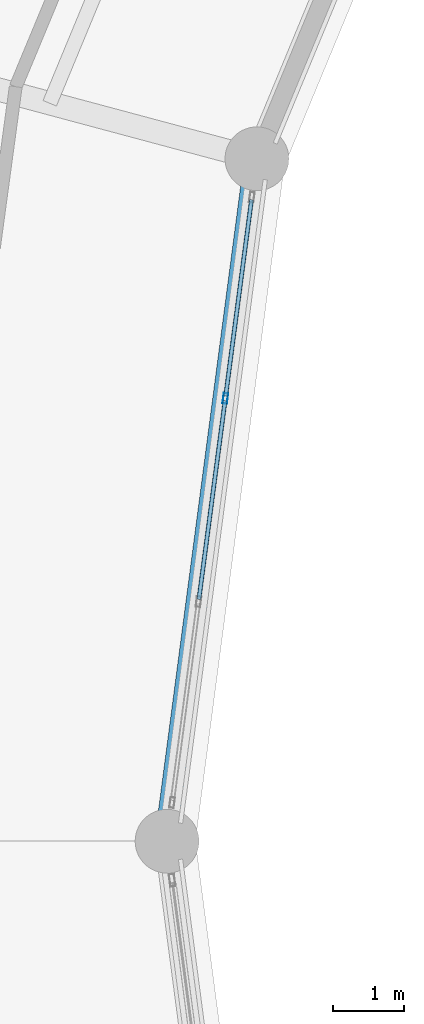
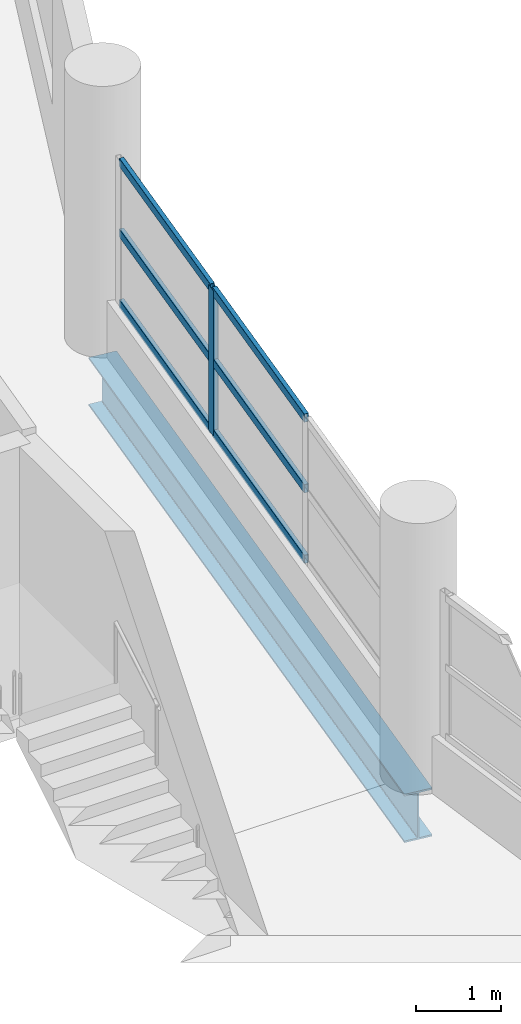
# One storey, part 18 of 53: 7 members, 1 beam, 1 element without a shape of its own.
"""IFC4 building model written with IfcOpenShell, lengths in metres."""

from ifc_helpers import new_model, si_unit, direction, frame, origin, origin_2d, place, context, subcontext, project, spatial, hollow_rectangle, i_section, extrude, material, layer, layer_set, material_profile, profile_set, type_object, element, aggregate, save


model = new_model("IFC4")

# Units and contexts
model_context = context("Model", 3, precision=1e-05, world=origin(), true_north=direction((0.0, 1.0)))
body_context = subcontext(model_context, "Body", "Model", "MODEL_VIEW")
ifc_project = project(units=[si_unit("LENGTHUNIT", "METRE"), si_unit("AREAUNIT", "SQUARE_METRE"), si_unit("VOLUMEUNIT", "CUBIC_METRE"), si_unit("PLANEANGLEUNIT", "RADIAN"), si_unit("MASSUNIT", "GRAM", prefix="KILO")], contexts=[model_context])

# Site, building, storey
site_placement = place(None, origin())
site = spatial("IfcSite", under=ifc_project, at=site_placement, CompositionType="ELEMENT")
building_placement = place(site_placement, origin())
building = spatial("IfcBuilding", under=site, at=building_placement, Name="Vespera Passage Community Centre", CompositionType="ELEMENT")
storey_placement = place(building_placement, frame((0.0, 0.0, 20.39990234375)))
storey = spatial("IfcBuildingStorey", under=building, at=storey_placement, Name="L05", CompositionType="ELEMENT", Elevation=20.39990234375)

# Beam
ifc_material_1 = material(Name="Steel ASTM A992 Grade 50", Category="steel")
ifc_material_profile_1 = material_profile(ifc_material_1, i_section(OverallWidth=0.3544921875, OverallDepth=0.695556640625, WebThickness=0.015380859375, FlangeThickness=0.024658203125, FilletRadius=0.01513671875, at=origin_2d()), Name="W27X146")
ifc_profile_set_1 = profile_set([ifc_material_profile_1], Name="Steel ASTM A992 Grade 50")
beam_type = type_object("IfcBeamType", Name="BM-SP-W27X146E", PredefinedType="SPANDREL", material=ifc_profile_set_1)
beam_placement = place(storey_placement, frame((42.067626953125, 75.128173828125, -0.607666015625), z_axis=(-0.130526697639, -0.991444794834, 0.0), x_axis=(0.991444794834, -0.130526697639, 0.0)))
element("IfcBeam", 1, at=beam_placement, inside=storey, type_object=beam_type, Name="V4 L05 Inner Spandrel 11", PredefinedType="SPANDREL", context=body_context, shape_type="SweptSolid", body=[
    extrude(i_section(OverallWidth=0.3544921875, OverallDepth=0.695556640625, WebThickness=0.015380859375, FlangeThickness=0.024658203125, FilletRadius=0.01513671875, at=origin_2d()), origin(), (0.0, 0.0, 1.0), 9.711181640625),
])

# Curtain wall, members
ifc_material_2 = material(Name="Anodized aluminium 6063-T6", Category="aluminium")
ifc_layer = layer(ifc_material_2, 0.159912109375)
ifc_layer_set = layer_set([ifc_layer], Name="Anodized aluminium 6063-T6")
curtain_wall_type = type_object("IfcCurtainWallType", Name="CW-58E", PredefinedType="NOTDEFINED", material=ifc_layer_set)
curtain_wall_placement = place(storey_placement, origin())
curtain_wall = element("IfcCurtainWall", 2, at=curtain_wall_placement, inside=storey, type_object=curtain_wall_type, Name="V4 L05 Inner Court Curtain Wall 11", PredefinedType="NOTDEFINED")
ifc_material_3 = material(Name="Anodized aluminium 6063-T6", Category="aluminium")
ifc_material_profile_2 = material_profile(ifc_material_3, hollow_rectangle(XDim=0.06494140625, YDim=0.14990234375, WallThickness=0.00390625, InnerFilletRadius=0.001953125, OuterFilletRadius=0.00390625, at=origin_2d()), Name="ALU150X65X4")
ifc_profile_set_2 = profile_set([ifc_material_profile_2], Name="Anodized aluminium 6063-T6")
member_type_1 = type_object("IfcMemberType", Name="MB-CWM-150E", PredefinedType="MULLION", material=ifc_profile_set_2)
member_1_placement = place(storey_placement, frame((41.62255859375, 71.74755859375, 0.820068359375), z_axis=(0.0, 0.0, 1.0), x_axis=(0.991445387728, -0.1305221941, 0.0)))
member_1 = element("IfcMember", 3, at=member_1_placement, type_object=member_type_1, Name="CW-58E mullion 2", PredefinedType="MULLION", context=body_context, shape_type="SweptSolid", body=[
    extrude(hollow_rectangle(XDim=0.06494140625, YDim=0.14990234375, WallThickness=0.00390625, InnerFilletRadius=0.001953125, OuterFilletRadius=0.00390625, at=origin_2d()), origin(), (0.0, 0.0, 1.0), 2.08935546875),
])
ifc_material_4 = material(Name="Anodized aluminium 6063-T6", Category="aluminium")
ifc_material_profile_3 = material_profile(ifc_material_4, hollow_rectangle(XDim=0.06005859375, YDim=0.1201171875, WallThickness=0.00390625, InnerFilletRadius=0.001953125, OuterFilletRadius=0.00390625, at=origin_2d()), Name="ALU120X60X4")
ifc_profile_set_3 = profile_set([ifc_material_profile_3], Name="Anodized aluminium 6063-T6")
member_type_2 = type_object("IfcMemberType", Name="MB-CWT-120E", PredefinedType="USERDEFINED", material=ifc_profile_set_3)
member_2_placement = place(storey_placement, frame((41.991455078125, 74.550537109375, 0.85009765625), z_axis=(-0.130515527399, -0.991446265366, 0.0), x_axis=(0.991446265366, -0.130515527399, 0.0)))
member_2 = element("IfcMember", 4, at=member_2_placement, type_object=member_type_2, Name="CW-58E transom 1.1", ObjectType="TRANSOM", PredefinedType="USERDEFINED", context=body_context, shape_type="SweptSolid", body=[
    extrude(hollow_rectangle(XDim=0.06005859375, YDim=0.1201171875, WallThickness=0.00390625, InnerFilletRadius=0.001953125, OuterFilletRadius=0.00390625, at=origin_2d()), origin(), (0.0, 0.0, 1.0), 2.794677734375),
])
member_3_placement = place(storey_placement, frame((41.991455078125, 74.550537109375, 1.86474609375), z_axis=(-0.130515527399, -0.991446265366, 0.0), x_axis=(0.991446265366, -0.130515527399, 0.0)))
member_3 = element("IfcMember", 5, at=member_3_placement, type_object=member_type_2, Name="CW-58E transom 1.2", ObjectType="TRANSOM", PredefinedType="USERDEFINED", context=body_context, shape_type="SweptSolid", body=[
    extrude(hollow_rectangle(XDim=0.06005859375, YDim=0.1201171875, WallThickness=0.00390625, InnerFilletRadius=0.001953125, OuterFilletRadius=0.00390625, at=origin_2d()), origin(), (0.0, 0.0, 1.0), 2.794677734375),
])
member_4_placement = place(storey_placement, frame((41.991455078125, 74.550537109375, 2.87939453125), z_axis=(-0.130515527399, -0.991446265366, 0.0), x_axis=(0.991446265366, -0.130515527399, 0.0)))
member_4 = element("IfcMember", 6, at=member_4_placement, type_object=member_type_2, Name="CW-58E transom 1.3", ObjectType="TRANSOM", PredefinedType="USERDEFINED", context=body_context, shape_type="SweptSolid", body=[
    extrude(hollow_rectangle(XDim=0.06005859375, YDim=0.1201171875, WallThickness=0.00390625, InnerFilletRadius=0.001953125, OuterFilletRadius=0.00390625, at=origin_2d()), origin(), (0.0, 0.0, 1.0), 2.794677734375),
])
member_5_placement = place(storey_placement, frame((41.618408203125, 71.71533203125, 0.85009765625), z_axis=(-0.130579616175, -0.991437826512, 0.0), x_axis=(0.991437826512, -0.130579616175, 0.0)))
member_5 = element("IfcMember", 7, at=member_5_placement, type_object=member_type_2, Name="CW-58E transom 2.1", ObjectType="TRANSOM", PredefinedType="USERDEFINED", context=body_context, shape_type="SweptSolid", body=[
    extrude(hollow_rectangle(XDim=0.06005859375, YDim=0.1201171875, WallThickness=0.00390625, InnerFilletRadius=0.001953125, OuterFilletRadius=0.00390625, at=origin_2d()), origin(), (0.0, 0.0, 1.0), 2.826904296875),
])
member_6_placement = place(storey_placement, frame((41.618408203125, 71.71533203125, 1.86474609375), z_axis=(-0.130579616175, -0.991437826512, 0.0), x_axis=(0.991437826512, -0.130579616175, 0.0)))
member_6 = element("IfcMember", 8, at=member_6_placement, type_object=member_type_2, Name="CW-58E transom 2.2", ObjectType="TRANSOM", PredefinedType="USERDEFINED", context=body_context, shape_type="SweptSolid", body=[
    extrude(hollow_rectangle(XDim=0.06005859375, YDim=0.1201171875, WallThickness=0.00390625, InnerFilletRadius=0.001953125, OuterFilletRadius=0.00390625, at=origin_2d()), origin(), (0.0, 0.0, 1.0), 2.826904296875),
])
member_7_placement = place(storey_placement, frame((41.618408203125, 71.71533203125, 2.87939453125), z_axis=(-0.130579616175, -0.991437826512, 0.0), x_axis=(0.991437826512, -0.130579616175, 0.0)))
member_7 = element("IfcMember", 9, at=member_7_placement, type_object=member_type_2, Name="CW-58E transom 2.3", ObjectType="TRANSOM", PredefinedType="USERDEFINED", context=body_context, shape_type="SweptSolid", body=[
    extrude(hollow_rectangle(XDim=0.06005859375, YDim=0.1201171875, WallThickness=0.00390625, InnerFilletRadius=0.001953125, OuterFilletRadius=0.00390625, at=origin_2d()), origin(), (0.0, 0.0, 1.0), 2.826904296875),
])
aggregate(curtain_wall, [member_1, member_2, member_3, member_4, member_5, member_6, member_7])

save(model, "model.ifc")
